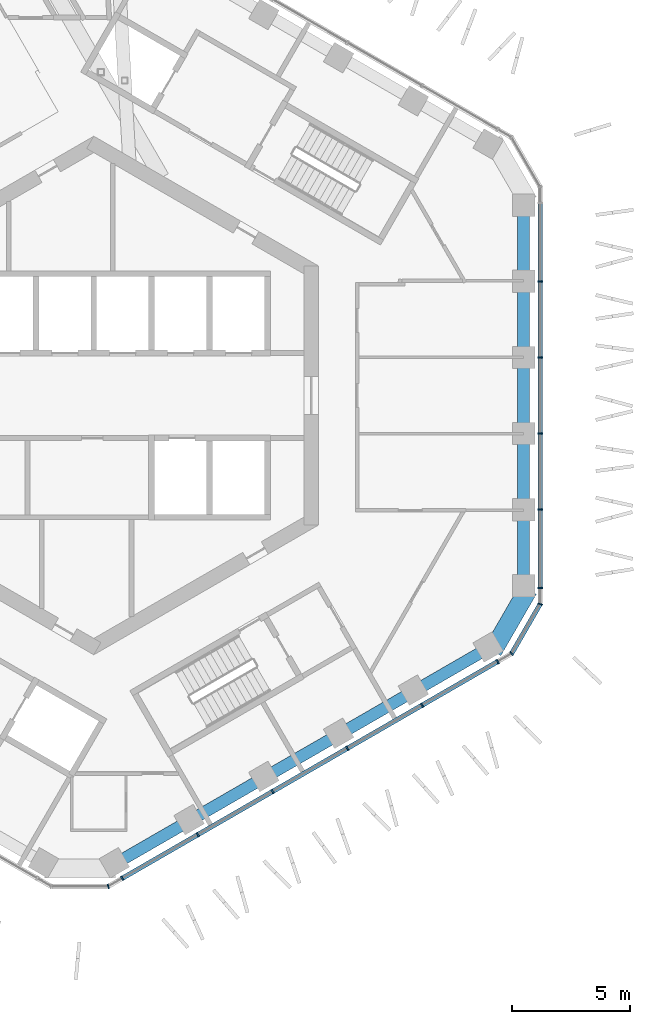
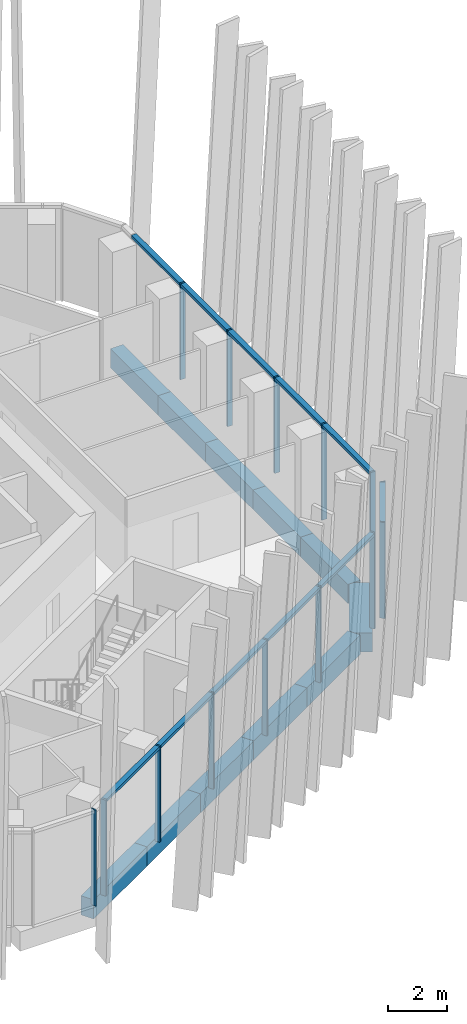
# One storey, part 4 of 29: 17 members, 11 beams, 4 elements without a shape of their own.
"""IFC4 building model written with IfcOpenShell, lengths in metres."""

from ifc_helpers import new_model, si_unit, direction, frame, origin, origin_2d, place, context, subcontext, project, spatial, rectangle, extrude, material, layer, layer_set, material_profile, profile_set, type_object, element, aggregate, save


model = new_model("IFC4")

# Units and contexts
model_context = context("Model", 3, precision=1e-05, world=origin(), true_north=direction((0.0, 1.0)))
body_context = subcontext(model_context, "Body", "Model", "MODEL_VIEW")
ifc_project = project(units=[si_unit("LENGTHUNIT", "METRE"), si_unit("AREAUNIT", "SQUARE_METRE"), si_unit("VOLUMEUNIT", "CUBIC_METRE"), si_unit("PLANEANGLEUNIT", "RADIAN"), si_unit("MASSUNIT", "GRAM", prefix="KILO")], contexts=[model_context])

# Site, building, storey
site_placement = place(None, origin())
site = spatial("IfcSite", under=ifc_project, at=site_placement, CompositionType="ELEMENT")
building_placement = place(site_placement, origin())
building = spatial("IfcBuilding", under=site, at=building_placement, Name="Ayvan Gate Tower", CompositionType="ELEMENT")
storey_placement = place(building_placement, frame((0.0, 0.0, 186.699951171875)))
storey = spatial("IfcBuildingStorey", under=building, at=storey_placement, Name="L50", CompositionType="ELEMENT", Elevation=186.699951171875)

# Beams
ifc_material_1 = material(Name="Concrete C40/50", Category="concrete")
ifc_material_profile_1 = material_profile(ifc_material_1, rectangle(XDim=0.800048828125, YDim=0.800048828125, at=origin_2d()), Name="RC 800x800")
ifc_profile_set_1 = profile_set([ifc_material_profile_1], Name="Concrete C40/50")
beam_type_1 = type_object("IfcBeamType", Name="Corner spandrel beam RC 800x800 C40/50", PredefinedType="BEAM", material=ifc_profile_set_1)
beam_1_placement = place(storey_placement, frame((16.876953125, -10.806884765625, -0.800048828125), z_axis=(0.499990139034, 0.866031096941, 0.0), x_axis=(-0.866031096941, 0.499990139034, 0.0)))
element("IfcBeam", 1, at=beam_1_placement, inside=storey, type_object=beam_type_1, Name="SB-L50-36", PredefinedType="BEAM", context=body_context, shape_type="SweptSolid", body=[
    extrude(rectangle(XDim=0.800048828125, YDim=0.800048828125, at=origin_2d()), origin(), (0.0, 0.0, 1.0), 3.0),
])
ifc_material_profile_2 = material_profile(ifc_material_1, rectangle(XDim=0.5, YDim=0.800048828125, at=origin_2d()), Name="RC 500x800")
ifc_profile_set_2 = profile_set([ifc_material_profile_2], Name="Concrete C40/50")
beam_type_2 = type_object("IfcBeamType", Name="Spandrel beam RC 500x800 C40/50", PredefinedType="BEAM", material=ifc_profile_set_2)
for number, where, z_axis, x_axis, name in (
    (2, (18.1865234375, -8.098876953125, -0.800048828125), (0.0, 1.0, 0.0), (-1.0, 0.0, 0.0), "SB-L50-1"),
    (3, (18.1865234375, -4.859375, -0.800048828125), (0.0, 1.0, 0.0), (-1.0, 0.0, 0.0), "SB-L50-2"),
):
    element("IfcBeam", number, at=place(storey_placement, frame(where, z_axis=z_axis, x_axis=x_axis)), inside=storey, type_object=beam_type_2, Name=name, PredefinedType="BEAM", context=body_context, shape_type="SweptSolid", body=[
        extrude(rectangle(XDim=0.5, YDim=0.800048828125, at=origin_2d()), origin(), (0.0, 0.0, 1.0), 3.239501953125),
    ])
beam_2_placement = place(storey_placement, frame((18.1865234375, -1.619873046875, -0.800048828125), z_axis=(0.0, 1.0, 0.0), x_axis=(-1.0, 0.0, 0.0)))
element("IfcBeam", 4, at=beam_2_placement, inside=storey, type_object=beam_type_2, Name="SB-L50-3", PredefinedType="BEAM", context=body_context, shape_type="SweptSolid", body=[
    extrude(rectangle(XDim=0.5, YDim=0.800048828125, at=origin_2d()), origin(), (0.0, 0.0, 1.0), 3.23974609375),
])
for number, where, z_axis, x_axis, name in (
    (5, (18.1865234375, 1.619873046875, -0.800048828125), (0.0, 1.0, 0.0), (-1.0, 0.0, 0.0), "SB-L50-4"),
    (6, (18.1865234375, 4.859375, -0.800048828125), (0.0, 1.0, 0.0), (-1.0, 0.0, 0.0), "SB-L50-5"),
):
    element("IfcBeam", number, at=place(storey_placement, frame(where, z_axis=z_axis, x_axis=x_axis)), inside=storey, type_object=beam_type_2, Name=name, PredefinedType="BEAM", context=body_context, shape_type="SweptSolid", body=[
        extrude(rectangle(XDim=0.5, YDim=0.800048828125, at=origin_2d()), origin(), (0.0, 0.0, 1.0), 3.239501953125),
    ])
beam_3_placement = place(storey_placement, frame((0.92041015625, -19.79931640625, -0.800048828125), z_axis=(0.86605606512, 0.499946889248, 0.0), x_axis=(-0.499946889248, 0.86605606512, 0.0)))
element("IfcBeam", 7, at=beam_3_placement, inside=storey, type_object=beam_type_2, Name="SB-L50-31", PredefinedType="BEAM", context=body_context, shape_type="SweptSolid", body=[
    extrude(rectangle(XDim=0.5, YDim=0.800048828125, at=origin_2d()), origin(), (0.0, 0.0, 1.0), 3.64111328125),
])
beam_4_placement = place(storey_placement, frame((4.07373046875, -17.97900390625, -0.800048828125), z_axis=(0.866010267955, 0.50002621511, 0.0), x_axis=(-0.50002621511, 0.866010267955, 0.0)))
element("IfcBeam", 8, at=beam_4_placement, inside=storey, type_object=beam_type_2, Name="SB-L50-32", PredefinedType="BEAM", context=body_context, shape_type="SweptSolid", body=[
    extrude(rectangle(XDim=0.5, YDim=0.800048828125, at=origin_2d()), origin(), (0.0, 0.0, 1.0), 3.640869140625),
])
beam_5_placement = place(storey_placement, frame((7.226806640625, -16.158447265625, -0.800048828125), z_axis=(0.866027031905, 0.499997180003, 0.0), x_axis=(-0.499997180003, 0.866027031905, 0.0)))
element("IfcBeam", 9, at=beam_5_placement, inside=storey, type_object=beam_type_2, Name="SB-L50-33", PredefinedType="BEAM", context=body_context, shape_type="SweptSolid", body=[
    extrude(rectangle(XDim=0.5, YDim=0.800048828125, at=origin_2d()), origin(), (0.0, 0.0, 1.0), 3.64111328125),
])
beam_6_placement = place(storey_placement, frame((10.380126953125, -14.337890625, -0.800048828125), z_axis=(0.866010267955, 0.50002621511, 0.0), x_axis=(-0.50002621511, 0.866010267955, 0.0)))
element("IfcBeam", 10, at=beam_6_placement, inside=storey, type_object=beam_type_2, Name="SB-L50-34", PredefinedType="BEAM", context=body_context, shape_type="SweptSolid", body=[
    extrude(rectangle(XDim=0.5, YDim=0.800048828125, at=origin_2d()), origin(), (0.0, 0.0, 1.0), 3.640869140625),
])
beam_7_placement = place(storey_placement, frame((13.533203125, -12.517333984375, -0.800048828125), z_axis=(0.866027031905, 0.499997180003, 0.0), x_axis=(-0.499997180003, 0.866027031905, 0.0)))
element("IfcBeam", 11, at=beam_7_placement, inside=storey, type_object=beam_type_2, Name="SB-L50-35", PredefinedType="BEAM", context=body_context, shape_type="SweptSolid", body=[
    extrude(rectangle(XDim=0.5, YDim=0.800048828125, at=origin_2d()), origin(), (0.0, 0.0, 1.0), 3.64111328125),
])

# Curtain wall, members
ifc_material_2 = material(Name="Bronze anodised aluminium", Category="aluminium")
ifc_layer_1 = layer(ifc_material_2, 0.199951171875)
ifc_layer_set_1 = layer_set([ifc_layer_1], Name="Bronze anodised aluminium")
curtain_wall_type_1 = type_object("IfcCurtainWallType", Name="Stick curtain wall CW-2", PredefinedType="NOTDEFINED", material=ifc_layer_set_1)
curtain_wall_1_placement = place(storey_placement, origin())
curtain_wall_1 = element("IfcCurtainWall", 12, at=curtain_wall_1_placement, inside=storey, type_object=curtain_wall_type_1, Name="Stick curtain wall CW-2 L50", PredefinedType="NOTDEFINED")
ifc_material_profile_3 = material_profile(ifc_material_2, rectangle(XDim=0.199951171875, YDim=0.070068359375, at=origin_2d()), Name="Stick curtain wall CW-2 mullion 200 x 70")
ifc_profile_set_3 = profile_set([ifc_material_profile_3], Name="Bronze anodised aluminium")
member_type_1 = type_object("IfcMemberType", Name="Stick curtain wall CW-2 mullion 200 x 70", PredefinedType="MULLION", material=ifc_profile_set_3)
member_1_placement = place(storey_placement, frame((1.20703125, -20.426025390625, 0.0), z_axis=(0.0, 0.0, 1.0), x_axis=(0.5, -0.866025403784, 0.0)))
member_1 = element("IfcMember", 13, at=member_1_placement, type_object=member_type_1, Name="CW-2 mullion 1", PredefinedType="MULLION", context=body_context, shape_type="SweptSolid", body=[
    extrude(rectangle(XDim=0.199951171875, YDim=0.070068359375, at=origin_2d()), origin(), (0.0, 0.0, 1.0), 4.0),
])
member_2_placement = place(storey_placement, frame((4.40185546875, -18.58154296875, 0.0), z_axis=(0.0, 0.0, 1.0), x_axis=(0.5, -0.866025403784, 0.0)))
member_2 = element("IfcMember", 14, at=member_2_placement, type_object=member_type_1, Name="CW-2 mullion 2", PredefinedType="MULLION", context=body_context, shape_type="SweptSolid", body=[
    extrude(rectangle(XDim=0.199951171875, YDim=0.070068359375, at=origin_2d()), origin(), (0.0, 0.0, 1.0), 4.0),
])
member_3_placement = place(storey_placement, frame((7.5654296875, -16.755126953125, 0.0), z_axis=(0.0, 0.0, 1.0), x_axis=(0.5, -0.866025403784, 0.0)))
member_3 = element("IfcMember", 15, at=member_3_placement, type_object=member_type_1, Name="CW-2 mullion 3", PredefinedType="MULLION", context=body_context, shape_type="SweptSolid", body=[
    extrude(rectangle(XDim=0.199951171875, YDim=0.070068359375, at=origin_2d()), origin(), (0.0, 0.0, 1.0), 4.0),
])
member_4_placement = place(storey_placement, frame((10.72802734375, -14.92919921875, 0.0), z_axis=(0.0, 0.0, 1.0), x_axis=(0.5, -0.866025403784, 0.0)))
member_4 = element("IfcMember", 16, at=member_4_placement, type_object=member_type_1, Name="CW-2 mullion 4", PredefinedType="MULLION", context=body_context, shape_type="SweptSolid", body=[
    extrude(rectangle(XDim=0.199951171875, YDim=0.070068359375, at=origin_2d()), origin(), (0.0, 0.0, 1.0), 4.0),
])
member_5_placement = place(storey_placement, frame((13.890869140625, -13.10302734375, 0.0), z_axis=(0.0, 0.0, 1.0), x_axis=(0.5, -0.866025403784, 0.0)))
member_5 = element("IfcMember", 17, at=member_5_placement, type_object=member_type_1, Name="CW-2 mullion 5", PredefinedType="MULLION", context=body_context, shape_type="SweptSolid", body=[
    extrude(rectangle(XDim=0.199951171875, YDim=0.070068359375, at=origin_2d()), origin(), (0.0, 0.0, 1.0), 4.0),
])
member_6_placement = place(storey_placement, frame((17.0859375, -11.25830078125, 0.0), z_axis=(0.0, 0.0, 1.0), x_axis=(0.5, -0.866025403784, 0.0)))
member_6 = element("IfcMember", 18, at=member_6_placement, type_object=member_type_1, Name="CW-2 mullion 6", PredefinedType="MULLION", context=body_context, shape_type="SweptSolid", body=[
    extrude(rectangle(XDim=0.199951171875, YDim=0.070068359375, at=origin_2d()), origin(), (0.0, 0.0, 1.0), 4.0),
])

curtain_wall_2_placement = place(storey_placement, origin())
curtain_wall_2 = element("IfcCurtainWall", 19, at=curtain_wall_2_placement, inside=storey, type_object=curtain_wall_type_1, Name="Stick curtain wall CW-2 L50", PredefinedType="NOTDEFINED")
member_7_placement = place(storey_placement, frame((18.886474609375, -8.139892578125, 0.0), z_axis=(0.0, 0.0, 1.0), x_axis=(1.0, 0.0, 0.0)))
member_7 = element("IfcMember", 20, at=member_7_placement, type_object=member_type_1, Name="CW-2 mullion 1", PredefinedType="MULLION", context=body_context, shape_type="SweptSolid", body=[
    extrude(rectangle(XDim=0.199951171875, YDim=0.070068359375, at=origin_2d()), origin(), (0.0, 0.0, 1.0), 4.0),
])
member_8_placement = place(storey_placement, frame((18.886474609375, -4.825927734375, 0.0), z_axis=(0.0, 0.0, 1.0), x_axis=(1.0, 0.0, 0.0)))
member_8 = element("IfcMember", 21, at=member_8_placement, type_object=member_type_1, Name="CW-2 mullion 2", PredefinedType="MULLION", context=body_context, shape_type="SweptSolid", body=[
    extrude(rectangle(XDim=0.199951171875, YDim=0.070068359375, at=origin_2d()), origin(), (0.0, 0.0, 1.0), 4.0),
])
member_9_placement = place(storey_placement, frame((18.886474609375, -1.60888671875, 0.0), z_axis=(0.0, 0.0, 1.0), x_axis=(1.0, 0.0, 0.0)))
member_9 = element("IfcMember", 22, at=member_9_placement, type_object=member_type_1, Name="CW-2 mullion 3", PredefinedType="MULLION", context=body_context, shape_type="SweptSolid", body=[
    extrude(rectangle(XDim=0.199951171875, YDim=0.070068359375, at=origin_2d()), origin(), (0.0, 0.0, 1.0), 4.0),
])
member_10_placement = place(storey_placement, frame((18.886474609375, 1.608154296875, 0.0), z_axis=(0.0, 0.0, 1.0), x_axis=(1.0, 0.0, 0.0)))
member_10 = element("IfcMember", 23, at=member_10_placement, type_object=member_type_1, Name="CW-2 mullion 4", PredefinedType="MULLION", context=body_context, shape_type="SweptSolid", body=[
    extrude(rectangle(XDim=0.199951171875, YDim=0.070068359375, at=origin_2d()), origin(), (0.0, 0.0, 1.0), 4.0),
])
member_11_placement = place(storey_placement, frame((18.886474609375, 4.8251953125, 0.0), z_axis=(0.0, 0.0, 1.0), x_axis=(1.0, 0.0, 0.0)))
member_11 = element("IfcMember", 24, at=member_11_placement, type_object=member_type_1, Name="CW-2 mullion 5", PredefinedType="MULLION", context=body_context, shape_type="SweptSolid", body=[
    extrude(rectangle(XDim=0.199951171875, YDim=0.070068359375, at=origin_2d()), origin(), (0.0, 0.0, 1.0), 4.0),
])

# Member
ifc_material_profile_4 = material_profile(ifc_material_2, rectangle(XDim=0.199951171875, YDim=0.1201171875, at=origin_2d()), Name="Stick curtain wall CW-2 transom 200 x 120")
ifc_profile_set_4 = profile_set([ifc_material_profile_4], Name="Bronze anodised aluminium")
member_type_2 = type_object("IfcMemberType", Name="Stick curtain wall CW-2 transom 200 x 120", PredefinedType="USERDEFINED", material=ifc_profile_set_4)
member_12_placement = place(storey_placement, frame((1.20703125, -20.426025390625, 3.93994140625), z_axis=(0.866024605284, 0.500001383041, 0.0), x_axis=(-0.500001383041, 0.866024605284, 0.0)))
member_12 = element("IfcMember", 25, at=member_12_placement, type_object=member_type_2, Name="CW-2 transom 1", ObjectType="TRANSOM", PredefinedType="USERDEFINED", context=body_context, shape_type="SweptSolid", body=[
    extrude(rectangle(XDim=0.199951171875, YDim=0.1201171875, at=origin_2d()), origin(), (0.0, 0.0, 1.0), 18.33544921875),
])

aggregate(curtain_wall_1, [member_1, member_2, member_3, member_4, member_5, member_6, member_12])

member_13_placement = place(storey_placement, frame((18.886474609375, -8.139892578125, 3.93994140625), z_axis=(0.0, 1.0, 0.0), x_axis=(-1.0, 0.0, 0.0)))
member_13 = element("IfcMember", 26, at=member_13_placement, type_object=member_type_2, Name="CW-2 transom 1", ObjectType="TRANSOM", PredefinedType="USERDEFINED", context=body_context, shape_type="SweptSolid", body=[
    extrude(rectangle(XDim=0.199951171875, YDim=0.1201171875, at=origin_2d()), origin(), (0.0, 0.0, 1.0), 16.27978515625),
])

aggregate(curtain_wall_2, [member_7, member_8, member_9, member_10, member_11, member_13])

# Curtain wall, member
ifc_layer_2 = layer(ifc_material_2, 0.199951171875)
ifc_layer_set_2 = layer_set([ifc_layer_2], Name="Bronze anodised aluminium")
curtain_wall_type_2 = type_object("IfcCurtainWallType", Name="Stick curtain wall CW-6", PredefinedType="NOTDEFINED", material=ifc_layer_set_2)
curtain_wall_3_placement = place(storey_placement, origin())
curtain_wall_3 = element("IfcCurtainWall", 27, at=curtain_wall_3_placement, inside=storey, type_object=curtain_wall_type_2, Name="Stick curtain wall CW-6 L50", PredefinedType="NOTDEFINED")
ifc_material_profile_5 = material_profile(ifc_material_2, rectangle(XDim=0.199951171875, YDim=0.050048828125, at=origin_2d()), Name="Stick curtain wall CW-6 mullion 200 x 50")
ifc_profile_set_5 = profile_set([ifc_material_profile_5], Name="Bronze anodised aluminium")
member_type_3 = type_object("IfcMemberType", Name="Stick curtain wall CW-6 mullion 200 x 50", PredefinedType="MULLION", material=ifc_profile_set_5)
member_14_placement = place(storey_placement, frame((0.61376953125, -20.7685546875, 0.0), z_axis=(0.0, 0.0, 1.0), x_axis=(0.258819045103, -0.965925826289, 0.0)))
member_14 = element("IfcMember", 28, at=member_14_placement, type_object=member_type_3, Name="CW-6 mullion 3", PredefinedType="MULLION", context=body_context, shape_type="SweptSolid", body=[
    extrude(rectangle(XDim=0.199951171875, YDim=0.050048828125, at=origin_2d()), origin(), (0.0, 0.0, 1.0), 4.0),
])
aggregate(curtain_wall_3, [member_14])

# Curtain wall, members
curtain_wall_4_placement = place(storey_placement, origin())
curtain_wall_4 = element("IfcCurtainWall", 29, at=curtain_wall_4_placement, inside=storey, type_object=curtain_wall_type_2, Name="Stick curtain wall CW-6 L50", PredefinedType="NOTDEFINED")
member_15_placement = place(storey_placement, frame((17.67919921875, -10.915771484375, 0.0), z_axis=(0.0, 0.0, 1.0), x_axis=(0.707106781187, -0.707106781187, 0.0)))
member_15 = element("IfcMember", 30, at=member_15_placement, type_object=member_type_3, Name="CW-6 mullion 2", PredefinedType="MULLION", context=body_context, shape_type="SweptSolid", body=[
    extrude(rectangle(XDim=0.199951171875, YDim=0.050048828125, at=origin_2d()), origin(), (0.0, 0.0, 1.0), 4.0),
])
member_16_placement = place(storey_placement, frame((18.886474609375, -8.82470703125, 0.0), z_axis=(0.0, 0.0, 1.0), x_axis=(0.965925826289, -0.258819045103, 0.0)))
member_16 = element("IfcMember", 31, at=member_16_placement, type_object=member_type_3, Name="CW-6 mullion 3", PredefinedType="MULLION", context=body_context, shape_type="SweptSolid", body=[
    extrude(rectangle(XDim=0.199951171875, YDim=0.050048828125, at=origin_2d()), origin(), (0.0, 0.0, 1.0), 4.0),
])
ifc_material_profile_6 = material_profile(ifc_material_2, rectangle(XDim=0.199951171875, YDim=0.1201171875, at=origin_2d()), Name="Stick curtain wall CW-6 transom 200 x 120")
ifc_profile_set_6 = profile_set([ifc_material_profile_6], Name="Bronze anodised aluminium")
member_type_4 = type_object("IfcMemberType", Name="Stick curtain wall CW-6 transom 200 x 120", PredefinedType="USERDEFINED", material=ifc_profile_set_6)
member_17_placement = place(storey_placement, frame((17.691650390625, -10.894287109375, 3.93994140625), z_axis=(0.500014398087, 0.866017090885, 0.0), x_axis=(-0.866017090885, 0.500014398087, 0.0)))
member_17 = element("IfcMember", 32, at=member_17_placement, type_object=member_type_4, Name="CW-6 transom 2", ObjectType="TRANSOM", PredefinedType="USERDEFINED", context=body_context, shape_type="SweptSolid", body=[
    extrude(rectangle(XDim=0.199951171875, YDim=0.1201171875, at=origin_2d()), origin(), (0.0, 0.0, 1.0), 2.36474609375),
])
aggregate(curtain_wall_4, [member_15, member_16, member_17])

save(model, "model.ifc")
